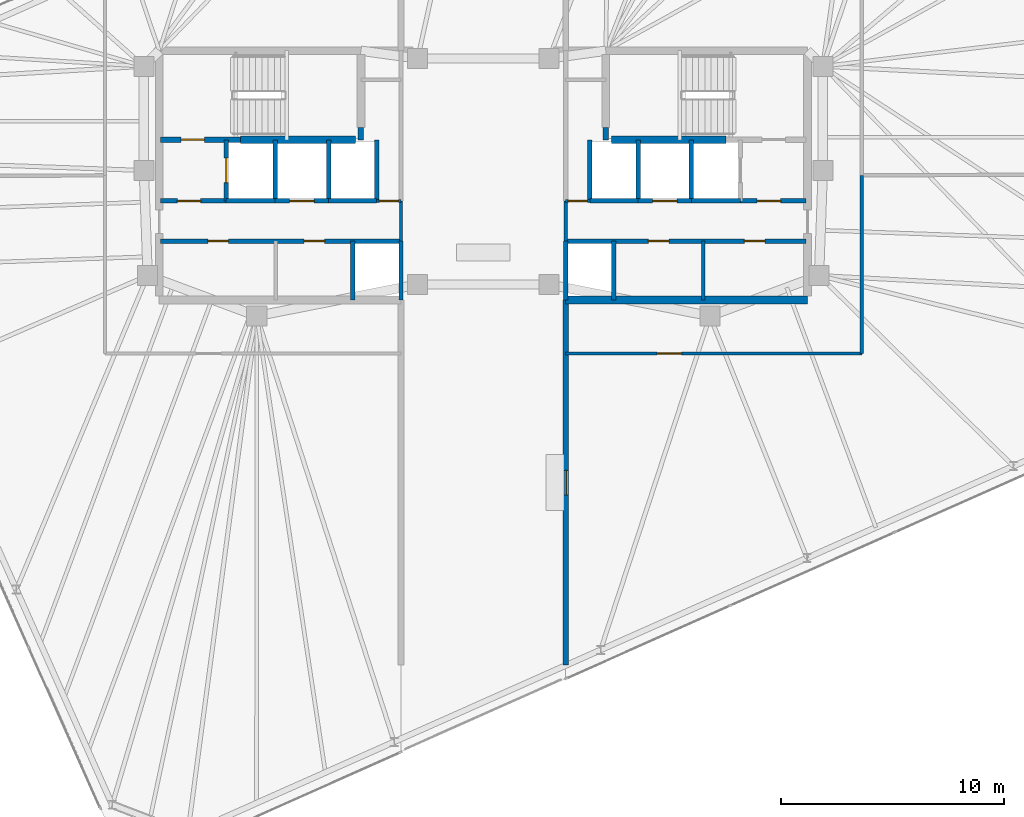
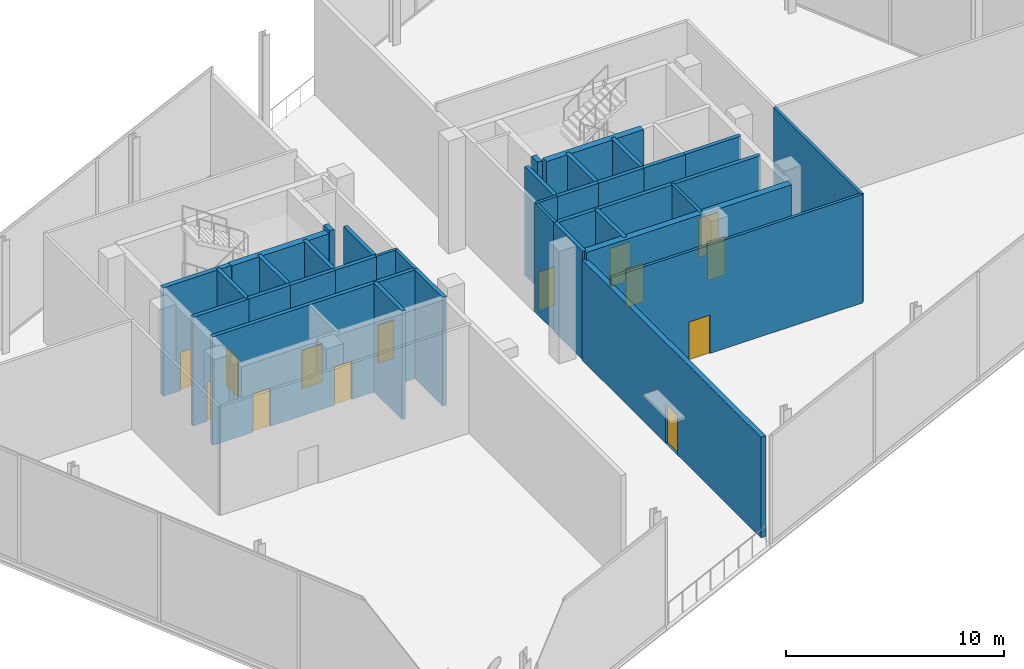
# One storey, part 14 of 16: 35 walls, 14 doors, 14 openings.
"""IFC4 building model written with IfcOpenShell, lengths in metres."""

from ifc_helpers import new_model, si_unit, direction, frame, frame_2d, origin, place, context, subcontext, project, spatial, rectangle, extrude, material, layer, layer_set, type_object, element, fill, save


model = new_model("IFC4")

# Units and contexts
model_context = context("Model", 3, precision=1e-05, world=origin(), true_north=direction((0.0, 1.0)))
body_context = subcontext(model_context, "Body", "Model", "MODEL_VIEW")
ifc_project = project(units=[si_unit("LENGTHUNIT", "METRE"), si_unit("AREAUNIT", "SQUARE_METRE"), si_unit("VOLUMEUNIT", "CUBIC_METRE"), si_unit("PLANEANGLEUNIT", "RADIAN"), si_unit("MASSUNIT", "GRAM", prefix="KILO")], contexts=[model_context])

# Site, building, storey
site_placement = place(None, origin())
site = spatial("IfcSite", under=ifc_project, at=site_placement, CompositionType="ELEMENT")
building_placement = place(site_placement, origin())
building = spatial("IfcBuilding", under=site, at=building_placement, Name="Menara Jurai Vektor", CompositionType="ELEMENT")
storey_placement = place(building_placement, frame((0.0, 0.0, 275.60009765625)))
storey = spatial("IfcBuildingStorey", under=building, at=storey_placement, Name="L74", CompositionType="ELEMENT", Elevation=275.60009765625)

# Wall, opening, door
ifc_material_1 = material(Name="Insulated Pale Aluminium Terrace Wall", Category="aluminium")
ifc_layer_1 = layer(ifc_material_1, 0.260009765625)
ifc_layer_set_1 = layer_set([ifc_layer_1], Name="Insulated Pale Aluminium Terrace Wall")
wall_type_1 = type_object("IfcWallType", Name="ENV-WALL-EXT260-H1", PredefinedType="STANDARD", material=ifc_layer_set_1)
wall_1_placement = place(storey_placement, frame((3.699951171875, -22.0, 0.0), z_axis=(0.0, 0.0, 1.0), x_axis=(0.0, 1.0, 0.0)))
wall_1 = element("IfcWall", 1, at=wall_1_placement, inside=storey, type_object=wall_type_1, Name="Wind Portal Breezeway Wall 2-S", PredefinedType="STANDARD", context=body_context, shape_type="SweptSolid", body=[
    extrude(rectangle(XDim=16.39990234375, YDim=0.260009765625, at=frame_2d((8.199951171875, 0.0))), origin(), (0.0, 0.0, 1.0), 5.625),
])
opening_1_placement = place(wall_1_placement, frame((7.64990234375, 0.0, 0.0)))
opening_1 = element("IfcOpeningElement", 2, at=opening_1_placement, cuts=wall_1, Name="Opening TD-L74-2", PredefinedType="OPENING", context=body_context, shape_type="SweptSolid", body=[
    extrude(rectangle(XDim=1.10009765625, YDim=2.199951171875, at=frame_2d((0.550048828125, 1.10009765625))), frame((0.0, 0.14013671875, 0.0), z_axis=(0.0, -1.0, 0.0), x_axis=(1.0, 0.0, 0.0)), (0.0, 0.0, 1.0), 0.280029296875),
])
ifc_material_2 = material(Name="Anodised Aluminium Glazed Terrace Door", Category="aluminium")
door_type_1 = type_object("IfcDoorType", Name="ENV-DOOR-TER110", OperationType="NOTDEFINED", PredefinedType="DOOR", material=ifc_material_2)
door_1_placement = place(opening_1_placement, origin())
door_1 = element("IfcDoor", 3, at=door_1_placement, inside=storey, type_object=door_type_1, Name="Wind Portal Sky-Deck Access Door 2", OperationType="SINGLE_SWING_RIGHT", OverallHeight=2.199951171875, OverallWidth=1.10009765625, PredefinedType="DOOR", context=body_context, shape_type="SweptSolid", body=[
    extrude(rectangle(XDim=1.10009765625, YDim=2.199951171875, at=frame_2d((0.550048828125, 1.10009765625))), frame((0.0, 0.02490234375, 0.0), z_axis=(0.0, -1.0, 0.0), x_axis=(1.0, 0.0, 0.0)), (0.0, 0.0, 1.0), 0.050048828125),
])
fill(opening_1, door_1)

ifc_material_3 = material(Name="Concrete C40/50", Category="concrete")
ifc_layer_2 = layer(ifc_material_3, 0.25)
ifc_layer_set_2 = layer_set([ifc_layer_2], Name="Concrete C40/50")
wall_type_2 = type_object("IfcWallType", Name="INT-WALL-CORE-250", PredefinedType="STANDARD", material=ifc_layer_set_2)
wall_2_placement = place(storey_placement, frame((-14.5, 1.60009765625, 0.0), z_axis=(0.0, 0.0, 1.0), x_axis=(1.0, 0.0, 0.0)))
wall_2 = element("IfcWall", 4, at=wall_2_placement, inside=storey, type_object=wall_type_2, Name="Interior Wall IW-250 L74", PredefinedType="STANDARD", context=body_context, shape_type="SweptSolid", body=[
    extrude(rectangle(XDim=3.60009765625, YDim=0.25, at=frame_2d((1.800048828125, 0.0))), origin(), (0.0, 0.0, 1.0), 6.074951171875),
])
opening_2_placement = place(wall_2_placement, frame((0.919921875, 0.0, 0.0)))
opening_2 = element("IfcOpeningElement", 5, at=opening_2_placement, cuts=wall_2, Name="Opening D-L74-ST1", PredefinedType="OPENING", context=body_context, shape_type="SweptSolid", body=[
    extrude(rectangle(XDim=1.050048828125, YDim=2.14990234375, at=frame_2d((0.52490234375, 1.074951171875))), frame((0.0, 0.135009765625, 0.0), z_axis=(0.0, -1.0, 0.0), x_axis=(1.0, 0.0, 0.0)), (0.0, 0.0, 1.0), 0.27001953125),
])
ifc_material_4 = material(Name="Fire-Rated Steel Door", Category="steel")
door_type_2 = type_object("IfcDoorType", Name="DR-STAIR-1050", OperationType="NOTDEFINED", PredefinedType="DOOR", material=ifc_material_4)
door_2_placement = place(opening_2_placement, origin())
door_2 = element("IfcDoor", 6, at=door_2_placement, inside=storey, type_object=door_type_2, Name="Exit Stair ST1 Door L74", OperationType="SINGLE_SWING_RIGHT", OverallHeight=2.14990234375, OverallWidth=1.050048828125, PredefinedType="DOOR", context=body_context, shape_type="SweptSolid", body=[
    extrude(rectangle(XDim=1.050048828125, YDim=2.14990234375, at=frame_2d((0.52490234375, 1.074951171875))), frame((0.0, 0.02490234375, 0.0), z_axis=(0.0, -1.0, 0.0), x_axis=(1.0, 0.0, 0.0)), (0.0, 0.0, 1.0), 0.050048828125),
])
fill(opening_2, door_2)

# Wall
wall_3_placement = place(storey_placement, frame((-5.5, 1.60009765625, 0.0), z_axis=(0.0, 0.0, 1.0), x_axis=(0.0, 1.0, 0.0)))
element("IfcWall", 7, at=wall_3_placement, inside=storey, type_object=wall_type_2, Name="Interior Wall IW-250 L74", PredefinedType="STANDARD", context=body_context, shape_type="SweptSolid", body=[
    extrude(rectangle(XDim=0.5498046875, YDim=0.25, at=frame_2d((0.27490234375, 0.0))), origin(), (0.0, 0.0, 1.0), 6.074951171875),
])

# Wall, opening, door
wall_4_placement = place(storey_placement, frame((-11.550048828125, -1.14990234375, 0.0), z_axis=(0.0, 0.0, 1.0), x_axis=(0.0, 1.0, 0.0)))
wall_4 = element("IfcWall", 8, at=wall_4_placement, inside=storey, type_object=wall_type_2, Name="Interior Wall IW-250 L74", PredefinedType="STANDARD", context=body_context, shape_type="SweptSolid", body=[
    extrude(rectangle(XDim=2.75, YDim=0.199951171875, at=frame_2d((1.375, 0.0))), origin(), (0.0, 0.0, 1.0), 6.074951171875),
])
opening_3_placement = place(wall_4_placement, frame((0.824951171875, 0.0, 0.0)))
opening_3 = element("IfcOpeningElement", 9, at=opening_3_placement, cuts=wall_4, Name="Opening LD-L74-FL1", PredefinedType="OPENING", context=body_context, shape_type="SweptSolid", body=[
    extrude(rectangle(XDim=1.10009765625, YDim=2.14990234375, at=frame_2d((0.550048828125, 1.074951171875))), frame((0.0, 0.10986328125, 0.0), z_axis=(0.0, -1.0, 0.0), x_axis=(1.0, 0.0, 0.0)), (0.0, 0.0, 1.0), 0.219970703125),
])
ifc_material_5 = material(Name="Stainless Steel Sliding Lift Landing Door", Category="steel")
door_type_3 = type_object("IfcDoorType", Name="DR-LIFT-FIRE-1100", OperationType="NOTDEFINED", PredefinedType="DOOR", material=ifc_material_5)
door_3_placement = place(opening_3_placement, origin())
door_3 = element("IfcDoor", 10, at=door_3_placement, inside=storey, type_object=door_type_3, Name="Lift Landing Door FL1 L74", OperationType="SLIDING_TO_RIGHT", OverallHeight=2.14990234375, OverallWidth=1.10009765625, PredefinedType="DOOR", context=body_context, shape_type="SweptSolid", body=[
    extrude(rectangle(XDim=1.10009765625, YDim=2.14990234375, at=frame_2d((0.550048828125, 1.074951171875))), frame((0.0, 0.02490234375, 0.0), z_axis=(0.0, -1.0, 0.0), x_axis=(1.0, 0.0, 0.0)), (0.0, 0.0, 1.0), 0.050048828125),
])
fill(opening_3, door_3)

# Wall
wall_5_placement = place(storey_placement, frame((-9.35009765625, -1.14990234375, 0.0), z_axis=(0.0, 0.0, 1.0), x_axis=(0.0, 1.0, 0.0)))
element("IfcWall", 11, at=wall_5_placement, inside=storey, type_object=wall_type_2, Name="Interior Wall IW-250 L74", PredefinedType="STANDARD", context=body_context, shape_type="SweptSolid", body=[
    extrude(rectangle(XDim=2.75, YDim=0.199951171875, at=frame_2d((1.375, 0.0))), origin(), (0.0, 0.0, 1.0), 6.074951171875),
])

# Wall, opening, door
wall_6_placement = place(storey_placement, frame((-14.5, -1.14990234375, 0.0), z_axis=(0.0, 0.0, 1.0), x_axis=(1.0, 0.0, 0.0)))
wall_6 = element("IfcWall", 12, at=wall_6_placement, inside=storey, type_object=wall_type_2, Name="Interior Wall IW-250 L74", PredefinedType="STANDARD", context=body_context, shape_type="SweptSolid", body=[
    extrude(rectangle(XDim=2.949951171875, YDim=0.199951171875, at=frame_2d((1.47509765625, 0.0))), origin(), (0.0, 0.0, 1.0), 6.074951171875),
])
opening_4_placement = place(wall_6_placement, frame((0.75, 0.0, 0.0)))
opening_4 = element("IfcOpeningElement", 13, at=opening_4_placement, cuts=wall_6, Name="Opening D-L74-FFW", PredefinedType="OPENING", context=body_context, shape_type="SweptSolid", body=[
    extrude(rectangle(XDim=1.050048828125, YDim=2.179931640625, at=frame_2d((0.52490234375, 1.08984375))), frame((0.0, 0.10986328125, 0.0), z_axis=(0.0, -1.0, 0.0), x_axis=(1.0, 0.0, 0.0)), (0.0, 0.0, 1.0), 0.219970703125),
])
ifc_material_6 = material(Name="Fire-Rated Timber Door", Category="wood")
door_type_4 = type_object("IfcDoorType", Name="DR-LOBBY-1050", OperationType="NOTDEFINED", PredefinedType="DOOR", material=ifc_material_6)
door_4_placement = place(opening_4_placement, origin())
door_4 = element("IfcDoor", 14, at=door_4_placement, inside=storey, type_object=door_type_4, Name="Fire Lift Lobby Door W L74", OperationType="SINGLE_SWING_RIGHT", OverallHeight=2.179931640625, OverallWidth=1.050048828125, PredefinedType="DOOR", context=body_context, shape_type="SweptSolid", body=[
    extrude(rectangle(XDim=1.050048828125, YDim=2.179931640625, at=frame_2d((0.52490234375, 1.08984375))), frame((0.0, 0.02490234375, 0.0), z_axis=(0.0, -1.0, 0.0), x_axis=(1.0, 0.0, 0.0)), (0.0, 0.0, 1.0), 0.050048828125),
])
fill(opening_4, door_4)

# Walls
wall_7_placement = place(storey_placement, frame((-11.550048828125, -1.14990234375, 0.0), z_axis=(0.0, 0.0, 1.0), x_axis=(1.0, 0.0, 0.0)))
element("IfcWall", 15, at=wall_7_placement, inside=storey, type_object=wall_type_2, Name="Interior Wall IW-250 L74", PredefinedType="STANDARD", context=body_context, shape_type="SweptSolid", body=[
    extrude(rectangle(XDim=2.199951171875, YDim=0.199951171875, at=frame_2d((1.10009765625, 0.0))), origin(), (0.0, 0.0, 1.0), 6.074951171875),
])
wall_8_placement = place(storey_placement, frame((5.5, 1.60009765625, 0.0), z_axis=(0.0, 0.0, 1.0), x_axis=(0.0, 1.0, 0.0)))
element("IfcWall", 16, at=wall_8_placement, inside=storey, type_object=wall_type_2, Name="Interior Wall IW-250 L74", PredefinedType="STANDARD", context=body_context, shape_type="SweptSolid", body=[
    extrude(rectangle(XDim=0.5498046875, YDim=0.25, at=frame_2d((0.27490234375, 0.0))), origin(), (0.0, 0.0, 1.0), 6.074951171875),
])
wall_9_placement = place(storey_placement, frame((9.35009765625, -1.14990234375, 0.0), z_axis=(0.0, 0.0, 1.0), x_axis=(0.0, 1.0, 0.0)))
element("IfcWall", 17, at=wall_9_placement, inside=storey, type_object=wall_type_2, Name="Interior Wall IW-250 L74", PredefinedType="STANDARD", context=body_context, shape_type="SweptSolid", body=[
    extrude(rectangle(XDim=2.75, YDim=0.199951171875, at=frame_2d((1.375, 0.0))), origin(), (0.0, 0.0, 1.0), 6.074951171875),
])

# Wall, opening, door
wall_10_placement = place(storey_placement, frame((11.550048828125, -1.14990234375, 0.0), z_axis=(0.0, 0.0, 1.0), x_axis=(1.0, 0.0, 0.0)))
wall_10 = element("IfcWall", 18, at=wall_10_placement, inside=storey, type_object=wall_type_2, Name="Interior Wall IW-250 L74", PredefinedType="STANDARD", context=body_context, shape_type="SweptSolid", body=[
    extrude(rectangle(XDim=2.949951171875, YDim=0.199951171875, at=frame_2d((1.47509765625, 0.0))), origin(), (0.0, 0.0, 1.0), 6.074951171875),
])
opening_5_placement = place(wall_10_placement, frame((0.75, 0.0, 0.0)))
opening_5 = element("IfcOpeningElement", 19, at=opening_5_placement, cuts=wall_10, Name="Opening D-L74-FFE", PredefinedType="OPENING", context=body_context, shape_type="SweptSolid", body=[
    extrude(rectangle(XDim=1.050048828125, YDim=2.179931640625, at=frame_2d((0.52490234375, 1.08984375))), frame((0.0, 0.10986328125, 0.0), z_axis=(0.0, -1.0, 0.0), x_axis=(1.0, 0.0, 0.0)), (0.0, 0.0, 1.0), 0.219970703125),
])
door_5_placement = place(opening_5_placement, origin())
door_5 = element("IfcDoor", 20, at=door_5_placement, inside=storey, type_object=door_type_4, Name="Fire Lift Lobby Door E L74", OperationType="SINGLE_SWING_LEFT", OverallHeight=2.179931640625, OverallWidth=1.050048828125, PredefinedType="DOOR", context=body_context, shape_type="SweptSolid", body=[
    extrude(rectangle(XDim=1.050048828125, YDim=2.179931640625, at=frame_2d((0.52490234375, 1.08984375))), frame((0.0, 0.02490234375, 0.0), z_axis=(0.0, -1.0, 0.0), x_axis=(1.0, 0.0, 0.0)), (0.0, 0.0, 1.0), 0.050048828125),
])
fill(opening_5, door_5)

# Walls
wall_11_placement = place(storey_placement, frame((9.35009765625, -1.14990234375, 0.0), z_axis=(0.0, 0.0, 1.0), x_axis=(1.0, 0.0, 0.0)))
element("IfcWall", 21, at=wall_11_placement, inside=storey, type_object=wall_type_2, Name="Interior Wall IW-250 L74", PredefinedType="STANDARD", context=body_context, shape_type="SweptSolid", body=[
    extrude(rectangle(XDim=2.199951171875, YDim=0.199951171875, at=frame_2d((1.10009765625, 0.0))), origin(), (0.0, 0.0, 1.0), 6.074951171875),
])
ifc_material_7 = material(Name="Gypsum Fireboard Partition", Category="gypsum")
ifc_layer_3 = layer(ifc_material_7, 0.14990234375)
ifc_layer_set_3 = layer_set([ifc_layer_3], Name="Gypsum Fireboard Partition")
wall_type_3 = type_object("IfcWallType", Name="INT-WALL-CORR-150", PredefinedType="PARTITIONING", material=ifc_layer_set_3)
wall_12_placement = place(storey_placement, frame((-3.699951171875, -2.949951171875, 0.0), z_axis=(0.0, 0.0, 1.0), x_axis=(0.0, 1.0, 0.0)))
element("IfcWall", 22, at=wall_12_placement, inside=storey, type_object=wall_type_3, Name="Interior Wall IW-150 L74", PredefinedType="PARTITIONING", context=body_context, shape_type="SweptSolid", body=[
    extrude(rectangle(XDim=1.800048828125, YDim=0.14990234375, at=frame_2d((0.89990234375, 0.0))), origin(), (0.0, 0.0, 1.0), 6.074951171875),
])

# Wall, opening, door
wall_13_placement = place(storey_placement, frame((-4.7900390625, -1.14990234375, 0.0), z_axis=(0.0, 0.0, 1.0), x_axis=(1.0, 0.0, 0.0)))
wall_13 = element("IfcWall", 23, at=wall_13_placement, inside=storey, type_object=wall_type_3, Name="Interior Wall IW-150 L74", PredefinedType="PARTITIONING", context=body_context, shape_type="SweptSolid", body=[
    extrude(rectangle(XDim=1.090087890625, YDim=0.14990234375, at=frame_2d((0.544921875, 0.0))), origin(), (0.0, 0.0, 1.0), 6.074951171875),
])
opening_6_placement = place(wall_13_placement, frame((0.114990234375, 0.0, 0.0)))
opening_6 = element("IfcOpeningElement", 24, at=opening_6_placement, cuts=wall_13, Name="Opening D74-03", PredefinedType="OPENING", context=body_context, shape_type="SweptSolid", body=[
    extrude(rectangle(XDim=0.860107421875, YDim=2.14990234375, at=frame_2d((0.43017578125, 1.074951171875))), frame((0.0, 0.0849609375, 0.0), z_axis=(0.0, -1.0, 0.0), x_axis=(1.0, 0.0, 0.0)), (0.0, 0.0, 1.0), 0.169921875),
])
ifc_material_8 = material(Name="Solid Core Timber Fire Door", Category="wood")
door_type_5 = type_object("IfcDoorType", Name="DR-ENTRY-950", OperationType="NOTDEFINED", PredefinedType="DOOR", material=ifc_material_8)
door_6_placement = place(opening_6_placement, origin())
door_6 = element("IfcDoor", 25, at=door_6_placement, inside=storey, type_object=door_type_5, Name="Interior Door D74-03", OperationType="SINGLE_SWING_LEFT", OverallHeight=2.14990234375, OverallWidth=0.860107421875, PredefinedType="DOOR", context=body_context, shape_type="SweptSolid", body=[
    extrude(rectangle(XDim=0.860107421875, YDim=2.14990234375, at=frame_2d((0.43017578125, 1.074951171875))), frame((0.0, 0.02490234375, 0.0), z_axis=(0.0, -1.0, 0.0), x_axis=(1.0, 0.0, 0.0)), (0.0, 0.0, 1.0), 0.050048828125),
])
fill(opening_6, door_6)

# Wall
wall_14_placement = place(storey_placement, frame((3.699951171875, -2.949951171875, 0.0), z_axis=(0.0, 0.0, 1.0), x_axis=(0.0, 1.0, 0.0)))
element("IfcWall", 26, at=wall_14_placement, inside=storey, type_object=wall_type_3, Name="Interior Wall IW-150 L74", PredefinedType="PARTITIONING", context=body_context, shape_type="SweptSolid", body=[
    extrude(rectangle(XDim=1.800048828125, YDim=0.14990234375, at=frame_2d((0.89990234375, 0.0))), origin(), (0.0, 0.0, 1.0), 6.074951171875),
])

# Wall, opening, door
wall_15_placement = place(storey_placement, frame((3.699951171875, -1.14990234375, 0.0), z_axis=(0.0, 0.0, 1.0), x_axis=(1.0, 0.0, 0.0)))
wall_15 = element("IfcWall", 27, at=wall_15_placement, inside=storey, type_object=wall_type_3, Name="Interior Wall IW-150 L74", PredefinedType="PARTITIONING", context=body_context, shape_type="SweptSolid", body=[
    extrude(rectangle(XDim=1.090087890625, YDim=0.14990234375, at=frame_2d((0.544921875, 0.0))), origin(), (0.0, 0.0, 1.0), 6.074951171875),
])
opening_7_placement = place(wall_15_placement, frame((0.114990234375, 0.0, 0.0)))
opening_7 = element("IfcOpeningElement", 28, at=opening_7_placement, cuts=wall_15, Name="Opening D74-06", PredefinedType="OPENING", context=body_context, shape_type="SweptSolid", body=[
    extrude(rectangle(XDim=0.860107421875, YDim=2.14990234375, at=frame_2d((0.43017578125, 1.074951171875))), frame((0.0, 0.0849609375, 0.0), z_axis=(0.0, -1.0, 0.0), x_axis=(1.0, 0.0, 0.0)), (0.0, 0.0, 1.0), 0.169921875),
])
door_7_placement = place(opening_7_placement, origin())
door_7 = element("IfcDoor", 29, at=door_7_placement, inside=storey, type_object=door_type_5, Name="Interior Door D74-06", OperationType="SINGLE_SWING_LEFT", OverallHeight=2.14990234375, OverallWidth=0.860107421875, PredefinedType="DOOR", context=body_context, shape_type="SweptSolid", body=[
    extrude(rectangle(XDim=0.860107421875, YDim=2.14990234375, at=frame_2d((0.43017578125, 1.074951171875))), frame((0.0, 0.02490234375, 0.0), z_axis=(0.0, -1.0, 0.0), x_axis=(1.0, 0.0, 0.0)), (0.0, 0.0, 1.0), 0.050048828125),
])
fill(opening_7, door_7)

# Wall
wall_16_placement = place(storey_placement, frame((9.8798828125, -5.60009765625, 0.0), z_axis=(0.0, 0.0, 1.0), x_axis=(0.0, 1.0, 0.0)))
element("IfcWall", 30, at=wall_16_placement, inside=storey, type_object=wall_type_3, Name="Interior Wall IW-150 L74", PredefinedType="PARTITIONING", context=body_context, shape_type="SweptSolid", body=[
    extrude(rectangle(XDim=2.650146484375, YDim=0.14990234375, at=frame_2d((1.3251953125, 0.0))), origin(), (0.0, 0.0, 1.0), 6.074951171875),
])

# Wall, opening, door
wall_17_placement = place(storey_placement, frame((3.699951171875, -8.0, 0.0), z_axis=(0.0, 0.0, 1.0), x_axis=(1.0, 0.0, 0.0)))
wall_17 = element("IfcWall", 31, at=wall_17_placement, inside=storey, type_object=wall_type_3, Name="Interior Wall IW-150 L74", PredefinedType="PARTITIONING", context=body_context, shape_type="SweptSolid", body=[
    extrude(rectangle(XDim=13.300048828125, YDim=0.14990234375, at=frame_2d((6.64990234375, 0.0))), origin(), (0.0, 0.0, 1.0), 6.074951171875),
])
opening_8_placement = place(wall_17_placement, frame((4.10498046875, 0.0, 0.0)))
opening_8 = element("IfcOpeningElement", 32, at=opening_8_placement, cuts=wall_17, Name="Opening D74-10", PredefinedType="OPENING", context=body_context, shape_type="SweptSolid", body=[
    extrude(rectangle(XDim=1.10009765625, YDim=2.14990234375, at=frame_2d((0.550048828125, 1.074951171875))), frame((0.0, 0.0849609375, 0.0), z_axis=(0.0, -1.0, 0.0), x_axis=(1.0, 0.0, 0.0)), (0.0, 0.0, 1.0), 0.169921875),
])
ifc_material_9 = material(Name="Fire-Rated Steel Plant Door", Category="steel")
door_type_6 = type_object("IfcDoorType", Name="DR-PLANT-1150", OperationType="NOTDEFINED", PredefinedType="DOOR", material=ifc_material_9)
door_8_placement = place(opening_8_placement, origin())
door_8 = element("IfcDoor", 33, at=door_8_placement, inside=storey, type_object=door_type_6, Name="Interior Door D74-10", OperationType="SINGLE_SWING_RIGHT", OverallHeight=2.14990234375, OverallWidth=1.10009765625, PredefinedType="DOOR", context=body_context, shape_type="SweptSolid", body=[
    extrude(rectangle(XDim=1.10009765625, YDim=2.14990234375, at=frame_2d((0.550048828125, 1.074951171875))), frame((0.0, 0.02490234375, 0.0), z_axis=(0.0, -1.0, 0.0), x_axis=(1.0, 0.0, 0.0)), (0.0, 0.0, 1.0), 0.050048828125),
])
fill(opening_8, door_8)

# Walls
wall_18_placement = place(storey_placement, frame((17.0, -8.0, 0.0), z_axis=(0.0, 0.0, 1.0), x_axis=(0.0, 1.0, 0.0)))
element("IfcWall", 34, at=wall_18_placement, inside=storey, type_object=wall_type_3, Name="Interior Wall IW-150 L74", PredefinedType="PARTITIONING", context=body_context, shape_type="SweptSolid", body=[
    extrude(rectangle(XDim=8.0, YDim=0.14990234375, at=frame_2d((4.0, 0.0))), origin(), (0.0, 0.0, 1.0), 6.074951171875),
])
ifc_layer_4 = layer(ifc_material_3, 0.199951171875)
ifc_layer_set_4 = layer_set([ifc_layer_4], Name="Concrete C40/50")
wall_type_4 = type_object("IfcWallType", Name="INT-WALL-SHAFT-200", PredefinedType="STANDARD", material=ifc_layer_set_4)
wall_19_placement = place(storey_placement, frame((-3.699951171875, -5.60009765625, 0.0), z_axis=(0.0, 0.0, 1.0), x_axis=(0.0, 1.0, 0.0)))
element("IfcWall", 35, at=wall_19_placement, inside=storey, type_object=wall_type_4, Name="Interior Wall IW-200 L74", PredefinedType="STANDARD", context=body_context, shape_type="SweptSolid", body=[
    extrude(rectangle(XDim=2.650146484375, YDim=0.199951171875, at=frame_2d((1.3251953125, 0.0))), origin(), (0.0, 0.0, 1.0), 6.074951171875),
])
wall_20_placement = place(storey_placement, frame((-6.949951171875, -1.14990234375, 0.0), z_axis=(0.0, 0.0, 1.0), x_axis=(0.0, 1.0, 0.0)))
element("IfcWall", 36, at=wall_20_placement, inside=storey, type_object=wall_type_4, Name="Interior Wall IW-200 L74", PredefinedType="STANDARD", context=body_context, shape_type="SweptSolid", body=[
    extrude(rectangle(XDim=2.75, YDim=0.199951171875, at=frame_2d((1.375, 0.0))), origin(), (0.0, 0.0, 1.0), 6.074951171875),
])

# Wall, opening, door
wall_21_placement = place(storey_placement, frame((-9.35009765625, -1.14990234375, 0.0), z_axis=(0.0, 0.0, 1.0), x_axis=(1.0, 0.0, 0.0)))
wall_21 = element("IfcWall", 37, at=wall_21_placement, inside=storey, type_object=wall_type_4, Name="Interior Wall IW-200 L74", PredefinedType="STANDARD", context=body_context, shape_type="SweptSolid", body=[
    extrude(rectangle(XDim=2.400146484375, YDim=0.199951171875, at=frame_2d((1.2001953125, 0.0))), origin(), (0.0, 0.0, 1.0), 6.074951171875),
])
opening_9_placement = place(wall_21_placement, frame((0.64990234375, 0.0, 0.0)))
opening_9 = element("IfcOpeningElement", 38, at=opening_9_placement, cuts=wall_21, Name="Opening LD-L74-SVL1", PredefinedType="OPENING", context=body_context, shape_type="SweptSolid", body=[
    extrude(rectangle(XDim=1.10009765625, YDim=2.14990234375, at=frame_2d((0.550048828125, 1.074951171875))), frame((0.0, 0.10986328125, 0.0), z_axis=(0.0, -1.0, 0.0), x_axis=(1.0, 0.0, 0.0)), (0.0, 0.0, 1.0), 0.219970703125),
])
ifc_material_10 = material(Name="Anodised Stainless Sliding Lift Landing Door", Category="steel")
door_type_7 = type_object("IfcDoorType", Name="DR-LIFT-PASS-1100", OperationType="NOTDEFINED", PredefinedType="DOOR", material=ifc_material_10)
door_9_placement = place(opening_9_placement, origin())
door_9 = element("IfcDoor", 39, at=door_9_placement, inside=storey, type_object=door_type_7, Name="Lift Landing Door SVL1 L74", OperationType="SLIDING_TO_RIGHT", OverallHeight=2.14990234375, OverallWidth=1.10009765625, PredefinedType="DOOR", context=body_context, shape_type="SweptSolid", body=[
    extrude(rectangle(XDim=1.10009765625, YDim=2.14990234375, at=frame_2d((0.550048828125, 1.074951171875))), frame((0.0, 0.02490234375, 0.0), z_axis=(0.0, -1.0, 0.0), x_axis=(1.0, 0.0, 0.0)), (0.0, 0.0, 1.0), 0.050048828125),
])
fill(opening_9, door_9)

# Walls
wall_22_placement = place(storey_placement, frame((-4.7900390625, -1.14990234375, 0.0), z_axis=(0.0, 0.0, 1.0), x_axis=(0.0, 1.0, 0.0)))
element("IfcWall", 40, at=wall_22_placement, inside=storey, type_object=wall_type_4, Name="Interior Wall IW-200 L74", PredefinedType="STANDARD", context=body_context, shape_type="SweptSolid", body=[
    extrude(rectangle(XDim=2.75, YDim=0.199951171875, at=frame_2d((1.375, 0.0))), origin(), (0.0, 0.0, 1.0), 6.074951171875),
])
wall_23_placement = place(storey_placement, frame((-6.949951171875, -1.14990234375, 0.0), z_axis=(0.0, 0.0, 1.0), x_axis=(1.0, 0.0, 0.0)))
element("IfcWall", 41, at=wall_23_placement, inside=storey, type_object=wall_type_4, Name="Interior Wall IW-200 L74", PredefinedType="STANDARD", context=body_context, shape_type="SweptSolid", body=[
    extrude(rectangle(XDim=2.159912109375, YDim=0.199951171875, at=frame_2d((1.080078125, 0.0))), origin(), (0.0, 0.0, 1.0), 6.074951171875),
])

# Wall, openings, doors
wall_24_placement = place(storey_placement, frame((-14.5, -2.949951171875, 0.0), z_axis=(0.0, 0.0, 1.0), x_axis=(1.0, 0.0, 0.0)))
wall_24 = element("IfcWall", 42, at=wall_24_placement, inside=storey, type_object=wall_type_4, Name="Interior Wall IW-200 L74", PredefinedType="STANDARD", context=body_context, shape_type="SweptSolid", body=[
    extrude(rectangle(XDim=10.800048828125, YDim=0.199951171875, at=frame_2d((5.39990234375, 0.0))), origin(), (0.0, 0.0, 1.0), 6.074951171875),
])
opening_10_placement = place(wall_24_placement, frame((2.1298828125, 0.0, 0.0)))
opening_10 = element("IfcOpeningElement", 43, at=opening_10_placement, cuts=wall_24, Name="Opening D74-01", PredefinedType="OPENING", context=body_context, shape_type="SweptSolid", body=[
    extrude(rectangle(XDim=0.919921875, YDim=2.14990234375, at=frame_2d((0.4599609375, 1.074951171875))), frame((0.0, 0.10986328125, 0.0), z_axis=(0.0, -1.0, 0.0), x_axis=(1.0, 0.0, 0.0)), (0.0, 0.0, 1.0), 0.219970703125),
])
opening_11_placement = place(wall_24_placement, frame((6.449951171875, 0.0, 0.0)))
opening_11 = element("IfcOpeningElement", 44, at=opening_11_placement, cuts=wall_24, Name="Opening D74-02", PredefinedType="OPENING", context=body_context, shape_type="SweptSolid", body=[
    extrude(rectangle(XDim=0.919921875, YDim=2.14990234375, at=frame_2d((0.4599609375, 1.074951171875))), frame((0.0, 0.10986328125, 0.0), z_axis=(0.0, -1.0, 0.0), x_axis=(1.0, 0.0, 0.0)), (0.0, 0.0, 1.0), 0.219970703125),
])
door_10_placement = place(opening_10_placement, origin())
door_10 = element("IfcDoor", 45, at=door_10_placement, inside=storey, type_object=door_type_5, Name="Interior Door D74-01", OperationType="SINGLE_SWING_LEFT", OverallHeight=2.14990234375, OverallWidth=0.919921875, PredefinedType="DOOR", context=body_context, shape_type="SweptSolid", body=[
    extrude(rectangle(XDim=0.919921875, YDim=2.14990234375, at=frame_2d((0.4599609375, 1.074951171875))), frame((0.0, 0.02490234375, 0.0), z_axis=(0.0, -1.0, 0.0), x_axis=(1.0, 0.0, 0.0)), (0.0, 0.0, 1.0), 0.050048828125),
])
fill(opening_10, door_10)
door_11_placement = place(opening_11_placement, origin())
door_11 = element("IfcDoor", 46, at=door_11_placement, inside=storey, type_object=door_type_5, Name="Interior Door D74-02", OperationType="SINGLE_SWING_RIGHT", OverallHeight=2.14990234375, OverallWidth=0.919921875, PredefinedType="DOOR", context=body_context, shape_type="SweptSolid", body=[
    extrude(rectangle(XDim=0.919921875, YDim=2.14990234375, at=frame_2d((0.4599609375, 1.074951171875))), frame((0.0, 0.02490234375, 0.0), z_axis=(0.0, -1.0, 0.0), x_axis=(1.0, 0.0, 0.0)), (0.0, 0.0, 1.0), 0.050048828125),
])
fill(opening_11, door_11)

# Walls
for number, where, z_axis, x_axis, name in (
    (47, (-5.860107421875, -5.60009765625, 0.0), (0.0, 0.0, 1.0), (0.0, 1.0, 0.0), "Interior Wall IW-200 L74"),
    (48, (3.699951171875, -5.60009765625, 0.0), (0.0, 0.0, 1.0), (0.0, 1.0, 0.0), "Interior Wall IW-200 L74"),
):
    element("IfcWall", number, at=place(storey_placement, frame(where, z_axis=z_axis, x_axis=x_axis)), inside=storey, type_object=wall_type_4, Name=name, PredefinedType="STANDARD", context=body_context, shape_type="SweptSolid", body=[
        extrude(rectangle(XDim=2.650146484375, YDim=0.199951171875, at=frame_2d((1.3251953125, 0.0))), origin(), (0.0, 0.0, 1.0), 6.074951171875),
    ])
wall_25_placement = place(storey_placement, frame((6.949951171875, -1.14990234375, 0.0), z_axis=(0.0, 0.0, 1.0), x_axis=(0.0, 1.0, 0.0)))
element("IfcWall", 49, at=wall_25_placement, inside=storey, type_object=wall_type_4, Name="Interior Wall IW-200 L74", PredefinedType="STANDARD", context=body_context, shape_type="SweptSolid", body=[
    extrude(rectangle(XDim=2.75, YDim=0.199951171875, at=frame_2d((1.375, 0.0))), origin(), (0.0, 0.0, 1.0), 6.074951171875),
])

# Wall, opening, door
wall_26_placement = place(storey_placement, frame((6.949951171875, -1.14990234375, 0.0), z_axis=(0.0, 0.0, 1.0), x_axis=(1.0, 0.0, 0.0)))
wall_26 = element("IfcWall", 50, at=wall_26_placement, inside=storey, type_object=wall_type_4, Name="Interior Wall IW-200 L74", PredefinedType="STANDARD", context=body_context, shape_type="SweptSolid", body=[
    extrude(rectangle(XDim=2.400146484375, YDim=0.199951171875, at=frame_2d((1.2001953125, 0.0))), origin(), (0.0, 0.0, 1.0), 6.074951171875),
])
opening_12_placement = place(wall_26_placement, frame((0.64990234375, 0.0, 0.0)))
opening_12 = element("IfcOpeningElement", 51, at=opening_12_placement, cuts=wall_26, Name="Opening LD-L74-SVL2", PredefinedType="OPENING", context=body_context, shape_type="SweptSolid", body=[
    extrude(rectangle(XDim=1.10009765625, YDim=2.14990234375, at=frame_2d((0.550048828125, 1.074951171875))), frame((0.0, 0.10986328125, 0.0), z_axis=(0.0, -1.0, 0.0), x_axis=(1.0, 0.0, 0.0)), (0.0, 0.0, 1.0), 0.219970703125),
])
door_12_placement = place(opening_12_placement, origin())
door_12 = element("IfcDoor", 52, at=door_12_placement, inside=storey, type_object=door_type_7, Name="Lift Landing Door SVL2 L74", OperationType="SLIDING_TO_RIGHT", OverallHeight=2.14990234375, OverallWidth=1.10009765625, PredefinedType="DOOR", context=body_context, shape_type="SweptSolid", body=[
    extrude(rectangle(XDim=1.10009765625, YDim=2.14990234375, at=frame_2d((0.550048828125, 1.074951171875))), frame((0.0, 0.02490234375, 0.0), z_axis=(0.0, -1.0, 0.0), x_axis=(1.0, 0.0, 0.0)), (0.0, 0.0, 1.0), 0.050048828125),
])
fill(opening_12, door_12)

# Walls
wall_27_placement = place(storey_placement, frame((4.7900390625, -1.14990234375, 0.0), z_axis=(0.0, 0.0, 1.0), x_axis=(0.0, 1.0, 0.0)))
element("IfcWall", 53, at=wall_27_placement, inside=storey, type_object=wall_type_4, Name="Interior Wall IW-200 L74", PredefinedType="STANDARD", context=body_context, shape_type="SweptSolid", body=[
    extrude(rectangle(XDim=2.75, YDim=0.199951171875, at=frame_2d((1.375, 0.0))), origin(), (0.0, 0.0, 1.0), 6.074951171875),
])
wall_28_placement = place(storey_placement, frame((4.7900390625, -1.14990234375, 0.0), z_axis=(0.0, 0.0, 1.0), x_axis=(1.0, 0.0, 0.0)))
element("IfcWall", 54, at=wall_28_placement, inside=storey, type_object=wall_type_4, Name="Interior Wall IW-200 L74", PredefinedType="STANDARD", context=body_context, shape_type="SweptSolid", body=[
    extrude(rectangle(XDim=2.159912109375, YDim=0.199951171875, at=frame_2d((1.080078125, 0.0))), origin(), (0.0, 0.0, 1.0), 6.074951171875),
])

# Wall, openings, doors
wall_29_placement = place(storey_placement, frame((3.699951171875, -2.949951171875, 0.0), z_axis=(0.0, 0.0, 1.0), x_axis=(1.0, 0.0, 0.0)))
wall_29 = element("IfcWall", 55, at=wall_29_placement, inside=storey, type_object=wall_type_4, Name="Interior Wall IW-200 L74", PredefinedType="STANDARD", context=body_context, shape_type="SweptSolid", body=[
    extrude(rectangle(XDim=10.800048828125, YDim=0.199951171875, at=frame_2d((5.39990234375, 0.0))), origin(), (0.0, 0.0, 1.0), 6.074951171875),
])
opening_13_placement = place(wall_29_placement, frame((3.7099609375, 0.0, 0.0)))
opening_13 = element("IfcOpeningElement", 56, at=opening_13_placement, cuts=wall_29, Name="Opening D74-04", PredefinedType="OPENING", context=body_context, shape_type="SweptSolid", body=[
    extrude(rectangle(XDim=0.919921875, YDim=2.14990234375, at=frame_2d((0.4599609375, 1.074951171875))), frame((0.0, 0.10986328125, 0.0), z_axis=(0.0, -1.0, 0.0), x_axis=(1.0, 0.0, 0.0)), (0.0, 0.0, 1.0), 0.219970703125),
])
opening_14_placement = place(wall_29_placement, frame((8.030029296875, 0.0, 0.0)))
opening_14 = element("IfcOpeningElement", 57, at=opening_14_placement, cuts=wall_29, Name="Opening D74-05", PredefinedType="OPENING", context=body_context, shape_type="SweptSolid", body=[
    extrude(rectangle(XDim=0.919921875, YDim=2.14990234375, at=frame_2d((0.4599609375, 1.074951171875))), frame((0.0, 0.10986328125, 0.0), z_axis=(0.0, -1.0, 0.0), x_axis=(1.0, 0.0, 0.0)), (0.0, 0.0, 1.0), 0.219970703125),
])
door_13_placement = place(opening_13_placement, origin())
door_13 = element("IfcDoor", 58, at=door_13_placement, inside=storey, type_object=door_type_5, Name="Interior Door D74-04", OperationType="SINGLE_SWING_LEFT", OverallHeight=2.14990234375, OverallWidth=0.919921875, PredefinedType="DOOR", context=body_context, shape_type="SweptSolid", body=[
    extrude(rectangle(XDim=0.919921875, YDim=2.14990234375, at=frame_2d((0.4599609375, 1.074951171875))), frame((0.0, 0.02490234375, 0.0), z_axis=(0.0, -1.0, 0.0), x_axis=(1.0, 0.0, 0.0)), (0.0, 0.0, 1.0), 0.050048828125),
])
fill(opening_13, door_13)
door_14_placement = place(opening_14_placement, origin())
door_14 = element("IfcDoor", 59, at=door_14_placement, inside=storey, type_object=door_type_5, Name="Interior Door D74-05", OperationType="SINGLE_SWING_RIGHT", OverallHeight=2.14990234375, OverallWidth=0.919921875, PredefinedType="DOOR", context=body_context, shape_type="SweptSolid", body=[
    extrude(rectangle(XDim=0.919921875, YDim=2.14990234375, at=frame_2d((0.4599609375, 1.074951171875))), frame((0.0, 0.02490234375, 0.0), z_axis=(0.0, -1.0, 0.0), x_axis=(1.0, 0.0, 0.0)), (0.0, 0.0, 1.0), 0.050048828125),
])
fill(opening_14, door_14)

# Walls
wall_30_placement = place(storey_placement, frame((5.860107421875, -5.60009765625, 0.0), z_axis=(0.0, 0.0, 1.0), x_axis=(0.0, 1.0, 0.0)))
element("IfcWall", 60, at=wall_30_placement, inside=storey, type_object=wall_type_4, Name="Interior Wall IW-200 L74", PredefinedType="STANDARD", context=body_context, shape_type="SweptSolid", body=[
    extrude(rectangle(XDim=2.650146484375, YDim=0.199951171875, at=frame_2d((1.3251953125, 0.0))), origin(), (0.0, 0.0, 1.0), 6.074951171875),
])
ifc_material_11 = material(Name="Concrete C50/60", Category="concrete")
ifc_layer_5 = layer(ifc_material_11, 0.35009765625)
ifc_layer_set_5 = layer_set([ifc_layer_5], Name="Concrete C50/60")
wall_type_5 = type_object("IfcWallType", Name="STR-WALL-CORE350", PredefinedType="SHEAR", material=ifc_layer_set_5)
wall_31_placement = place(storey_placement, frame((-10.89990234375, 1.60009765625, 0.0), z_axis=(0.0, 0.0, 1.0), x_axis=(1.0, 0.0, 0.0)))
element("IfcWall", 61, at=wall_31_placement, inside=storey, type_object=wall_type_5, Name="Core Shear Wall CW-W-STS L74", PredefinedType="SHEAR", context=body_context, shape_type="SweptSolid", body=[
    extrude(rectangle(XDim=5.14990234375, YDim=0.35009765625, at=frame_2d((2.574951171875, 0.0))), origin(), (0.0, 0.0, 1.0), 6.074951171875),
])
wall_32_placement = place(storey_placement, frame((3.699951171875, -5.60009765625, 0.0), z_axis=(0.0, 0.0, 1.0), x_axis=(1.0, 0.0, 0.0)))
element("IfcWall", 62, at=wall_32_placement, inside=storey, type_object=wall_type_5, Name="Core Shear Wall CW-E-S L74", PredefinedType="SHEAR", context=body_context, shape_type="SweptSolid", body=[
    extrude(rectangle(XDim=10.860107421875, YDim=0.35009765625, at=frame_2d((5.43017578125, 0.0))), origin(), (0.0, 0.0, 1.0), 6.074951171875),
])
wall_33_placement = place(storey_placement, frame((5.75, 1.60009765625, 0.0), z_axis=(0.0, 0.0, 1.0), x_axis=(1.0, 0.0, 0.0)))
element("IfcWall", 63, at=wall_33_placement, inside=storey, type_object=wall_type_5, Name="Core Shear Wall CW-E-STS L74", PredefinedType="SHEAR", context=body_context, shape_type="SweptSolid", body=[
    extrude(rectangle(XDim=5.14990234375, YDim=0.35009765625, at=frame_2d((2.574951171875, 0.0))), origin(), (0.0, 0.0, 1.0), 6.074951171875),
])

save(model, "model.ifc")
